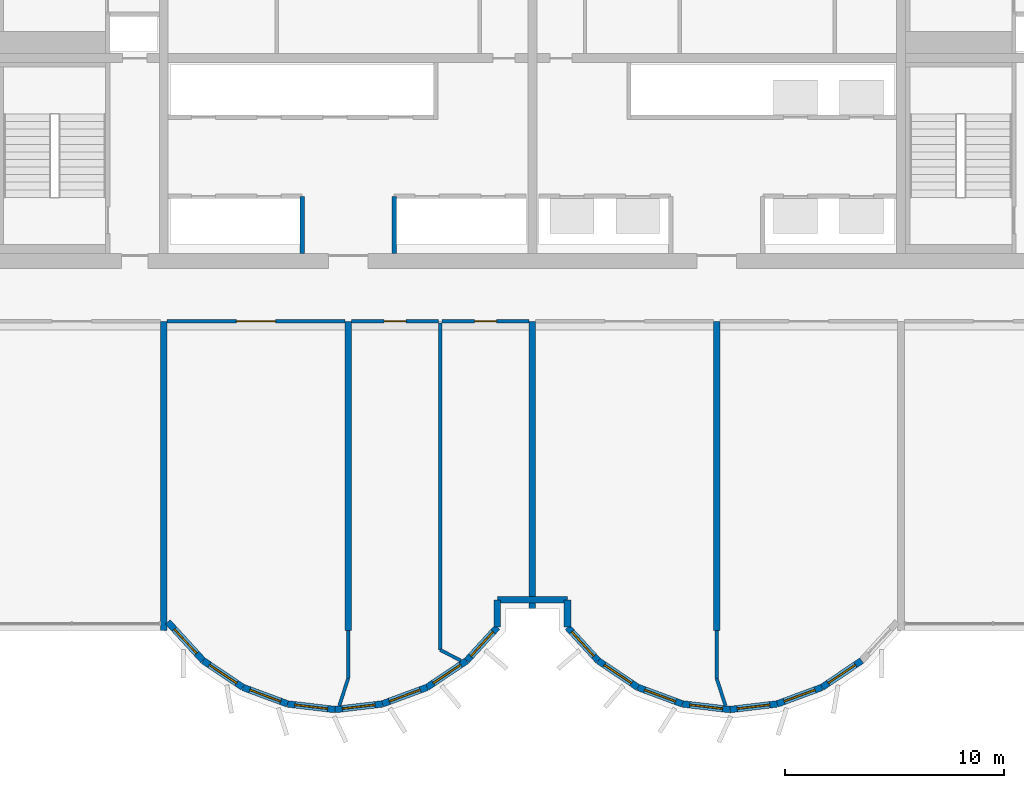
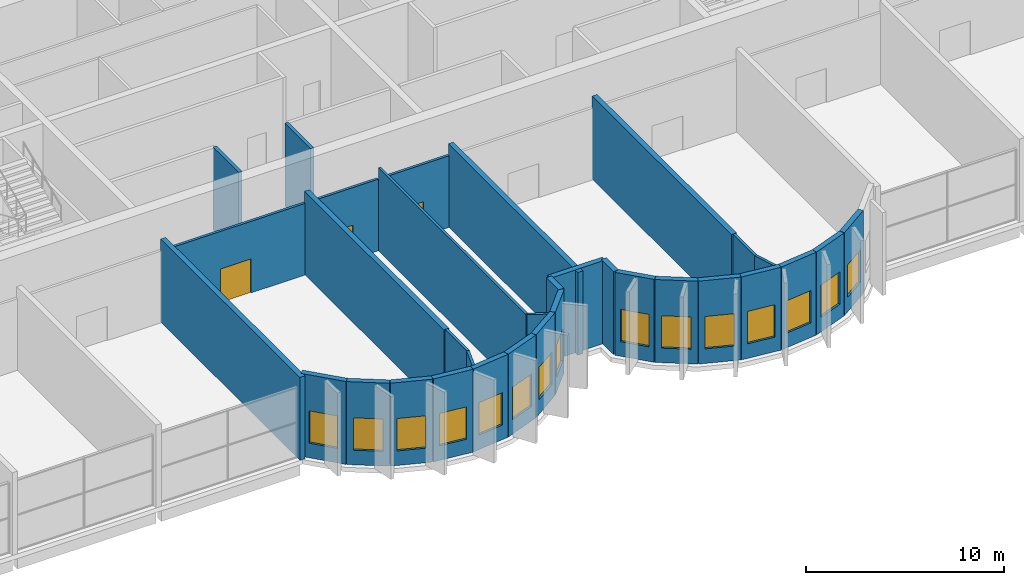
# One storey, part 11 of 19: 33 walls, 15 windows, 3 doors, 18 openings.
"""IFC4 building model written with IfcOpenShell, lengths in metres."""

from ifc_helpers import new_model, si_unit, direction, frame, frame_2d, origin, place, context, subcontext, project, spatial, rectangle, extrude, source, transform, mapped, material, layer, layer_set, type_object, element, fill, save


model = new_model("IFC4")

# Units and contexts
model_context = context("Model", 3, precision=1e-05, world=origin(), true_north=direction((0.0, 1.0)))
body_context = subcontext(model_context, "Body", "Model", "MODEL_VIEW")
ifc_project = project(units=[si_unit("LENGTHUNIT", "METRE"), si_unit("AREAUNIT", "SQUARE_METRE"), si_unit("VOLUMEUNIT", "CUBIC_METRE"), si_unit("PLANEANGLEUNIT", "RADIAN"), si_unit("MASSUNIT", "GRAM", prefix="KILO")], contexts=[model_context])

# Site, building, storey
site_placement = place(None, origin())
site = spatial("IfcSite", under=ifc_project, at=site_placement, CompositionType="ELEMENT")
building_placement = place(site_placement, origin())
building = spatial("IfcBuilding", under=site, at=building_placement, Name="Vanashikhar Sky Hotel", CompositionType="ELEMENT")
storey_placement = place(building_placement, frame((0.0, 0.0, 146.199951171875)))
storey = spatial("IfcBuildingStorey", under=building, at=storey_placement, Name="L35", CompositionType="ELEMENT", Elevation=146.199951171875)

# Walls
ifc_material_1 = material(Name="Concrete M60", Category="concrete")
ifc_layer_1 = layer(ifc_material_1, 0.300048828125)
ifc_layer_set_1 = layer_set([ifc_layer_1], Name="RC shear wall 300 Concrete M60")
wall_type_1 = type_object("IfcWallType", Name="RC shear wall 300 Concrete M60", PredefinedType="SHEAR", material=ifc_layer_set_1)
shared_shape_1 = source(origin(), body_context, "Body", "SweptSolid", [
    extrude(rectangle(XDim=14.10009765625, YDim=0.300048828125, at=frame_2d((7.050048828125, 0.0))), origin(), (0.0, 0.0, 1.0), 5.1201171875),
])
for number, where, z_axis, x_axis, name in (
    (1, (33.60009765625, 5.5, 0.0), (0.0, 0.0, 1.0), (0.0, 1.0, 0.0), "CW-L35-XW05-1"),
    (2, (42.0, 5.5, 0.0), (0.0, 0.0, 1.0), (0.0, 1.0, 0.0), "CW-L35-XW06-1"),
    (3, (58.800048828125, 5.5, 0.0), (0.0, 0.0, 1.0), (0.0, 1.0, 0.0), "CW-L35-XW08-1"),
):
    element("IfcWall", number, at=place(storey_placement, frame(where, z_axis=z_axis, x_axis=x_axis)), inside=storey, type_object=wall_type_1, Name=name, PredefinedType="SHEAR", context=body_context, shape_type="MappedRepresentation", body=[
        mapped(shared_shape_1, transform((0.0, 0.0, 0.0), scale=1.0)),
    ])
shared_shape_2 = source(origin(), body_context, "Body", "SweptSolid", [
    extrude(rectangle(XDim=13.10009765625, YDim=0.300048828125, at=frame_2d((6.550048828125, 0.0))), origin(), (0.0, 0.0, 1.0), 5.1201171875),
])
wall_1_placement = place(storey_placement, frame((50.39990234375, 6.5, 0.0), z_axis=(0.0, 0.0, 1.0), x_axis=(0.0, 1.0, 0.0)))
element("IfcWall", 4, at=wall_1_placement, inside=storey, type_object=wall_type_1, Name="CW-L35-XW07-1", PredefinedType="SHEAR", context=body_context, shape_type="MappedRepresentation", body=[
    mapped(shared_shape_2, transform((0.0, 0.0, 0.0), scale=1.0)),
])
ifc_material_2 = material(Name="Concrete M50", Category="concrete")
ifc_layer_2 = layer(ifc_material_2, 0.300048828125)
ifc_layer_set_2 = layer_set([ifc_layer_2], Name="Lobe wall 300")
wall_type_2 = type_object("IfcWallType", Name="Lobe wall 300", PredefinedType="SOLIDWALL", material=ifc_layer_set_2)
shared_shape_3 = source(origin(), body_context, "Body", "SweptSolid", [
    extrude(rectangle(XDim=1.244384765625, YDim=0.300048828125, at=frame_2d((0.6220703125, 0.0))), origin(), (0.0, 0.0, 1.0), 5.1201171875),
])
for number, where, z_axis, x_axis, name in (
    (5, (48.800048828125, 5.655517578125, 0.0), (0.0, 0.0, 1.0), (0.0, 1.0, 0.0), "Groove wall"),
    (6, (52.0, 6.89990234375, 0.0), (0.0, 0.0, 1.0), (0.0, -1.0, 0.0), "Groove wall"),
):
    element("IfcWall", number, at=place(storey_placement, frame(where, z_axis=z_axis, x_axis=x_axis)), inside=storey, type_object=wall_type_2, Name=name, PredefinedType="SOLIDWALL", context=body_context, shape_type="MappedRepresentation", body=[
        mapped(shared_shape_3, transform((0.0, 0.0, 0.0), scale=1.0)),
    ])

# Wall, opening, window
shared_shape_4 = source(origin(), body_context, "Body", "SweptSolid", [
    extrude(rectangle(XDim=2.066650390625, YDim=0.300048828125, at=frame_2d((1.033203125, 0.0))), origin(), (0.0, 0.0, 1.0), 5.1201171875),
])
wall_2_placement = place(storey_placement, frame((47.404296875, 4.13134765625, 0.0), z_axis=(0.0, 0.0, 1.0), x_axis=(0.675355439877, 0.737492393065, 0.0)))
wall_2 = element("IfcWall", 7, at=wall_2_placement, inside=storey, type_object=wall_type_2, Name="Lobe wall", PredefinedType="SOLIDWALL", context=body_context, shape_type="MappedRepresentation", body=[
    mapped(shared_shape_4, transform((0.0, 0.0, 0.0), scale=1.0)),
])
shared_shape_5 = source(origin(), body_context, "Body", "SweptSolid", [
    extrude(rectangle(XDim=1.5, YDim=2.0, at=frame_2d((0.75, 1.0))), frame((0.0, 0.16015625, 0.0), z_axis=(0.0, -1.0, 0.0), x_axis=(1.0, 0.0, 0.0)), (0.0, 0.0, 1.0), 0.320068359375),
])
opening_1_placement = place(wall_2_placement, frame((0.283447265625, 0.0, 0.89990234375)))
opening_1 = element("IfcOpeningElement", 8, at=opening_1_placement, cuts=wall_2, Name="Opening WN-2", PredefinedType="OPENING", context=body_context, shape_type="MappedRepresentation", body=[
    mapped(shared_shape_5, transform((0.0, 0.0, 0.0), scale=1.0)),
])
ifc_material_3 = material(Name="Glass", Category="glass")
window_type = type_object("IfcWindowType", Name="Lobe window 1500 x 2000", PartitioningType="SINGLE_PANEL", PredefinedType="WINDOW", material=ifc_material_3)
shared_shape_6 = source(origin(), body_context, "Body", "SweptSolid", [
    extrude(rectangle(XDim=1.5, YDim=2.0, at=frame_2d((0.75, 1.0))), frame((0.0, 0.030029296875, 0.0), z_axis=(0.0, -1.0, 0.0), x_axis=(1.0, 0.0, 0.0)), (0.0, 0.0, 1.0), 0.06005859375),
])
window_1_placement = place(opening_1_placement, origin())
window_1 = element("IfcWindow", 9, at=window_1_placement, inside=storey, type_object=window_type, Name="Window WN-2", OverallHeight=2.0, OverallWidth=1.5, PartitioningType="SINGLE_PANEL", PredefinedType="WINDOW", context=body_context, shape_type="MappedRepresentation", body=[
    mapped(shared_shape_6, transform((0.0, 0.0, 0.0), scale=1.0)),
])
fill(opening_1, window_1)

wall_3_placement = place(storey_placement, frame((52.0, 5.655517578125, 0.0), z_axis=(0.0, 0.0, 1.0), x_axis=(0.675355439877, -0.737492393065, 0.0)))
wall_3 = element("IfcWall", 10, at=wall_3_placement, inside=storey, type_object=wall_type_2, Name="Lobe wall", PredefinedType="SOLIDWALL", context=body_context, shape_type="MappedRepresentation", body=[
    mapped(shared_shape_4, transform((0.0, 0.0, 0.0), scale=1.0)),
])
opening_2_placement = place(wall_3_placement, frame((0.283447265625, 0.0, 0.89990234375)))
opening_2 = element("IfcOpeningElement", 11, at=opening_2_placement, cuts=wall_3, Name="Opening WN-2", PredefinedType="OPENING", context=body_context, shape_type="MappedRepresentation", body=[
    mapped(shared_shape_5, transform((0.0, 0.0, 0.0), scale=1.0)),
])
window_2_placement = place(opening_2_placement, origin())
window_2 = element("IfcWindow", 12, at=window_2_placement, inside=storey, type_object=window_type, Name="Window WN-2", OverallHeight=2.0, OverallWidth=1.5, PartitioningType="SINGLE_PANEL", PredefinedType="WINDOW", context=body_context, shape_type="MappedRepresentation", body=[
    mapped(shared_shape_6, transform((0.0, 0.0, 0.0), scale=1.0)),
])
fill(opening_2, window_2)

shared_shape_7 = source(origin(), body_context, "Body", "SweptSolid", [
    extrude(rectangle(XDim=2.17578125, YDim=0.300048828125, at=frame_2d((1.087890625, 0.0))), origin(), (0.0, 0.0, 1.0), 5.1201171875),
])
wall_4_placement = place(storey_placement, frame((35.395751953125, 4.13134765625, 0.0), z_axis=(0.0, 0.0, 1.0), x_axis=(0.829590746428, -0.558371913192, 0.0)))
wall_4 = element("IfcWall", 13, at=wall_4_placement, inside=storey, type_object=wall_type_2, Name="Lobe wall", PredefinedType="SOLIDWALL", context=body_context, shape_type="MappedRepresentation", body=[
    mapped(shared_shape_7, transform((0.0, 0.0, 0.0), scale=1.0)),
])
opening_3_placement = place(wall_4_placement, frame((0.337890625, 0.0, 0.89990234375)))
opening_3 = element("IfcOpeningElement", 14, at=opening_3_placement, cuts=wall_4, Name="Opening WN-2", PredefinedType="OPENING", context=body_context, shape_type="MappedRepresentation", body=[
    mapped(shared_shape_5, transform((0.0, 0.0, 0.0), scale=1.0)),
])
window_3_placement = place(opening_3_placement, origin())
window_3 = element("IfcWindow", 15, at=window_3_placement, inside=storey, type_object=window_type, Name="Window WN-2", OverallHeight=2.0, OverallWidth=1.5, PartitioningType="SINGLE_PANEL", PredefinedType="WINDOW", context=body_context, shape_type="MappedRepresentation", body=[
    mapped(shared_shape_6, transform((0.0, 0.0, 0.0), scale=1.0)),
])
fill(opening_3, window_3)

wall_5_placement = place(storey_placement, frame((37.20068359375, 2.91650390625, 0.0), z_axis=(0.0, 0.0, 1.0), x_axis=(0.93754555999, -0.347862505801, 0.0)))
wall_5 = element("IfcWall", 16, at=wall_5_placement, inside=storey, type_object=wall_type_2, Name="Lobe wall", PredefinedType="SOLIDWALL", context=body_context, shape_type="MappedRepresentation", body=[
    mapped(shared_shape_7, transform((0.0, 0.0, 0.0), scale=1.0)),
])
opening_4_placement = place(wall_5_placement, frame((0.337890625, 0.0, 0.89990234375)))
opening_4 = element("IfcOpeningElement", 17, at=opening_4_placement, cuts=wall_5, Name="Opening WN-2", PredefinedType="OPENING", context=body_context, shape_type="MappedRepresentation", body=[
    mapped(shared_shape_5, transform((0.0, 0.0, 0.0), scale=1.0)),
])
window_4_placement = place(opening_4_placement, origin())
window_4 = element("IfcWindow", 18, at=window_4_placement, inside=storey, type_object=window_type, Name="Window WN-2", OverallHeight=2.0, OverallWidth=1.5, PartitioningType="SINGLE_PANEL", PredefinedType="WINDOW", context=body_context, shape_type="MappedRepresentation", body=[
    mapped(shared_shape_6, transform((0.0, 0.0, 0.0), scale=1.0)),
])
fill(opening_4, window_4)

wall_6_placement = place(storey_placement, frame((45.59912109375, 2.91650390625, 0.0), z_axis=(0.0, 0.0, 1.0), x_axis=(0.829625727223, 0.558319937607, 0.0)))
wall_6 = element("IfcWall", 19, at=wall_6_placement, inside=storey, type_object=wall_type_2, Name="Lobe wall", PredefinedType="SOLIDWALL", context=body_context, shape_type="MappedRepresentation", body=[
    mapped(shared_shape_7, transform((0.0, 0.0, 0.0), scale=1.0)),
])
opening_5_placement = place(wall_6_placement, frame((0.337890625, 0.0, 0.89990234375)))
opening_5 = element("IfcOpeningElement", 20, at=opening_5_placement, cuts=wall_6, Name="Opening WN-2", PredefinedType="OPENING", context=body_context, shape_type="MappedRepresentation", body=[
    mapped(shared_shape_5, transform((0.0, 0.0, 0.0), scale=1.0)),
])
window_5_placement = place(opening_5_placement, origin())
window_5 = element("IfcWindow", 21, at=window_5_placement, inside=storey, type_object=window_type, Name="Window WN-2", OverallHeight=2.0, OverallWidth=1.5, PartitioningType="SINGLE_PANEL", PredefinedType="WINDOW", context=body_context, shape_type="MappedRepresentation", body=[
    mapped(shared_shape_6, transform((0.0, 0.0, 0.0), scale=1.0)),
])
fill(opening_5, window_5)

wall_7_placement = place(storey_placement, frame((53.395751953125, 4.13134765625, 0.0), z_axis=(0.0, 0.0, 1.0), x_axis=(0.829590746428, -0.558371913192, 0.0)))
wall_7 = element("IfcWall", 22, at=wall_7_placement, inside=storey, type_object=wall_type_2, Name="Lobe wall", PredefinedType="SOLIDWALL", context=body_context, shape_type="MappedRepresentation", body=[
    mapped(shared_shape_7, transform((0.0, 0.0, 0.0), scale=1.0)),
])
opening_6_placement = place(wall_7_placement, frame((0.337890625, 0.0, 0.89990234375)))
opening_6 = element("IfcOpeningElement", 23, at=opening_6_placement, cuts=wall_7, Name="Opening WN-2", PredefinedType="OPENING", context=body_context, shape_type="MappedRepresentation", body=[
    mapped(shared_shape_5, transform((0.0, 0.0, 0.0), scale=1.0)),
])
window_6_placement = place(opening_6_placement, origin())
window_6 = element("IfcWindow", 24, at=window_6_placement, inside=storey, type_object=window_type, Name="Window WN-2", OverallHeight=2.0, OverallWidth=1.5, PartitioningType="SINGLE_PANEL", PredefinedType="WINDOW", context=body_context, shape_type="MappedRepresentation", body=[
    mapped(shared_shape_6, transform((0.0, 0.0, 0.0), scale=1.0)),
])
fill(opening_6, window_6)

wall_8_placement = place(storey_placement, frame((55.20068359375, 2.91650390625, 0.0), z_axis=(0.0, 0.0, 1.0), x_axis=(0.93754555999, -0.347862505801, 0.0)))
wall_8 = element("IfcWall", 25, at=wall_8_placement, inside=storey, type_object=wall_type_2, Name="Lobe wall", PredefinedType="SOLIDWALL", context=body_context, shape_type="MappedRepresentation", body=[
    mapped(shared_shape_7, transform((0.0, 0.0, 0.0), scale=1.0)),
])
opening_7_placement = place(wall_8_placement, frame((0.337890625, 0.0, 0.89990234375)))
opening_7 = element("IfcOpeningElement", 26, at=opening_7_placement, cuts=wall_8, Name="Opening WN-2", PredefinedType="OPENING", context=body_context, shape_type="MappedRepresentation", body=[
    mapped(shared_shape_5, transform((0.0, 0.0, 0.0), scale=1.0)),
])
window_7_placement = place(opening_7_placement, origin())
window_7 = element("IfcWindow", 27, at=window_7_placement, inside=storey, type_object=window_type, Name="Window WN-2", OverallHeight=2.0, OverallWidth=1.5, PartitioningType="SINGLE_PANEL", PredefinedType="WINDOW", context=body_context, shape_type="MappedRepresentation", body=[
    mapped(shared_shape_6, transform((0.0, 0.0, 0.0), scale=1.0)),
])
fill(opening_7, window_7)

wall_9_placement = place(storey_placement, frame((63.59912109375, 2.91650390625, 0.0), z_axis=(0.0, 0.0, 1.0), x_axis=(0.829625727223, 0.558319937607, 0.0)))
wall_9 = element("IfcWall", 28, at=wall_9_placement, inside=storey, type_object=wall_type_2, Name="Lobe wall", PredefinedType="SOLIDWALL", context=body_context, shape_type="MappedRepresentation", body=[
    mapped(shared_shape_7, transform((0.0, 0.0, 0.0), scale=1.0)),
])
opening_8_placement = place(wall_9_placement, frame((0.337890625, 0.0, 0.89990234375)))
opening_8 = element("IfcOpeningElement", 29, at=opening_8_placement, cuts=wall_9, Name="Opening WN-2", PredefinedType="OPENING", context=body_context, shape_type="MappedRepresentation", body=[
    mapped(shared_shape_5, transform((0.0, 0.0, 0.0), scale=1.0)),
])
window_8_placement = place(opening_8_placement, origin())
window_8 = element("IfcWindow", 30, at=window_8_placement, inside=storey, type_object=window_type, Name="Window WN-2", OverallHeight=2.0, OverallWidth=1.5, PartitioningType="SINGLE_PANEL", PredefinedType="WINDOW", context=body_context, shape_type="MappedRepresentation", body=[
    mapped(shared_shape_6, transform((0.0, 0.0, 0.0), scale=1.0)),
])
fill(opening_8, window_8)

shared_shape_8 = source(origin(), body_context, "Body", "SweptSolid", [
    extrude(rectangle(XDim=2.174560546875, YDim=0.300048828125, at=frame_2d((1.08740234375, 0.0))), origin(), (0.0, 0.0, 1.0), 5.1201171875),
])
wall_10_placement = place(storey_placement, frame((39.240478515625, 2.15966796875, 0.0), z_axis=(0.0, 0.0, 1.0), x_axis=(0.993001132889, -0.118104826659, 0.0)))
wall_10 = element("IfcWall", 31, at=wall_10_placement, inside=storey, type_object=wall_type_2, Name="Lobe wall", PredefinedType="SOLIDWALL", context=body_context, shape_type="MappedRepresentation", body=[
    mapped(shared_shape_8, transform((0.0, 0.0, 0.0), scale=1.0)),
])
opening_9_placement = place(wall_10_placement, frame((0.33740234375, 0.0, 0.89990234375)))
opening_9 = element("IfcOpeningElement", 32, at=opening_9_placement, cuts=wall_10, Name="Opening WN-2", PredefinedType="OPENING", context=body_context, shape_type="MappedRepresentation", body=[
    mapped(shared_shape_5, transform((0.0, 0.0, 0.0), scale=1.0)),
])
window_9_placement = place(opening_9_placement, origin())
window_9 = element("IfcWindow", 33, at=window_9_placement, inside=storey, type_object=window_type, Name="Window WN-2", OverallHeight=2.0, OverallWidth=1.5, PartitioningType="SINGLE_PANEL", PredefinedType="WINDOW", context=body_context, shape_type="MappedRepresentation", body=[
    mapped(shared_shape_6, transform((0.0, 0.0, 0.0), scale=1.0)),
])
fill(opening_9, window_9)

wall_11_placement = place(storey_placement, frame((57.240478515625, 2.15966796875, 0.0), z_axis=(0.0, 0.0, 1.0), x_axis=(0.993001132889, -0.118104826659, 0.0)))
wall_11 = element("IfcWall", 34, at=wall_11_placement, inside=storey, type_object=wall_type_2, Name="Lobe wall", PredefinedType="SOLIDWALL", context=body_context, shape_type="MappedRepresentation", body=[
    mapped(shared_shape_8, transform((0.0, 0.0, 0.0), scale=1.0)),
])
opening_10_placement = place(wall_11_placement, frame((0.33740234375, 0.0, 0.89990234375)))
opening_10 = element("IfcOpeningElement", 35, at=opening_10_placement, cuts=wall_11, Name="Opening WN-2", PredefinedType="OPENING", context=body_context, shape_type="MappedRepresentation", body=[
    mapped(shared_shape_5, transform((0.0, 0.0, 0.0), scale=1.0)),
])
window_10_placement = place(opening_10_placement, origin())
window_10 = element("IfcWindow", 36, at=window_10_placement, inside=storey, type_object=window_type, Name="Window WN-2", OverallHeight=2.0, OverallWidth=1.5, PartitioningType="SINGLE_PANEL", PredefinedType="WINDOW", context=body_context, shape_type="MappedRepresentation", body=[
    mapped(shared_shape_6, transform((0.0, 0.0, 0.0), scale=1.0)),
])
fill(opening_10, window_10)

shared_shape_9 = source(origin(), body_context, "Body", "SweptSolid", [
    extrude(rectangle(XDim=2.1748046875, YDim=0.300048828125, at=frame_2d((1.08740234375, 0.0))), origin(), (0.0, 0.0, 1.0), 5.1201171875),
])
wall_12_placement = place(storey_placement, frame((41.39990234375, 1.90283203125, 0.0), z_axis=(0.0, 0.0, 1.0), x_axis=(0.993002698611, 0.118091661648, 0.0)))
wall_12 = element("IfcWall", 37, at=wall_12_placement, inside=storey, type_object=wall_type_2, Name="Lobe wall", PredefinedType="SOLIDWALL", context=body_context, shape_type="MappedRepresentation", body=[
    mapped(shared_shape_9, transform((0.0, 0.0, 0.0), scale=1.0)),
])
opening_11_placement = place(wall_12_placement, frame((0.33740234375, 0.0, 0.89990234375)))
opening_11 = element("IfcOpeningElement", 38, at=opening_11_placement, cuts=wall_12, Name="Opening WN-2", PredefinedType="OPENING", context=body_context, shape_type="MappedRepresentation", body=[
    mapped(shared_shape_5, transform((0.0, 0.0, 0.0), scale=1.0)),
])
window_11_placement = place(opening_11_placement, origin())
window_11 = element("IfcWindow", 39, at=window_11_placement, inside=storey, type_object=window_type, Name="Window WN-2", OverallHeight=2.0, OverallWidth=1.5, PartitioningType="SINGLE_PANEL", PredefinedType="WINDOW", context=body_context, shape_type="MappedRepresentation", body=[
    mapped(shared_shape_6, transform((0.0, 0.0, 0.0), scale=1.0)),
])
fill(opening_11, window_11)

wall_13_placement = place(storey_placement, frame((59.39990234375, 1.90283203125, 0.0), z_axis=(0.0, 0.0, 1.0), x_axis=(0.993002698611, 0.118091661648, 0.0)))
wall_13 = element("IfcWall", 40, at=wall_13_placement, inside=storey, type_object=wall_type_2, Name="Lobe wall", PredefinedType="SOLIDWALL", context=body_context, shape_type="MappedRepresentation", body=[
    mapped(shared_shape_9, transform((0.0, 0.0, 0.0), scale=1.0)),
])
opening_12_placement = place(wall_13_placement, frame((0.33740234375, 0.0, 0.89990234375)))
opening_12 = element("IfcOpeningElement", 41, at=opening_12_placement, cuts=wall_13, Name="Opening WN-2", PredefinedType="OPENING", context=body_context, shape_type="MappedRepresentation", body=[
    mapped(shared_shape_5, transform((0.0, 0.0, 0.0), scale=1.0)),
])
window_12_placement = place(opening_12_placement, origin())
window_12 = element("IfcWindow", 42, at=window_12_placement, inside=storey, type_object=window_type, Name="Window WN-2", OverallHeight=2.0, OverallWidth=1.5, PartitioningType="SINGLE_PANEL", PredefinedType="WINDOW", context=body_context, shape_type="MappedRepresentation", body=[
    mapped(shared_shape_6, transform((0.0, 0.0, 0.0), scale=1.0)),
])
fill(opening_12, window_12)

shared_shape_10 = source(origin(), body_context, "Body", "SweptSolid", [
    extrude(rectangle(XDim=2.175537109375, YDim=0.300048828125, at=frame_2d((1.087890625, 0.0))), origin(), (0.0, 0.0, 1.0), 5.1201171875),
])
wall_14_placement = place(storey_placement, frame((43.5595703125, 2.15966796875, 0.0), z_axis=(0.0, 0.0, 1.0), x_axis=(0.937531979054, 0.347899106424, 0.0)))
wall_14 = element("IfcWall", 43, at=wall_14_placement, inside=storey, type_object=wall_type_2, Name="Lobe wall", PredefinedType="SOLIDWALL", context=body_context, shape_type="MappedRepresentation", body=[
    mapped(shared_shape_10, transform((0.0, 0.0, 0.0), scale=1.0)),
])
opening_13_placement = place(wall_14_placement, frame((0.337890625, 0.0, 0.89990234375)))
opening_13 = element("IfcOpeningElement", 44, at=opening_13_placement, cuts=wall_14, Name="Opening WN-2", PredefinedType="OPENING", context=body_context, shape_type="MappedRepresentation", body=[
    mapped(shared_shape_5, transform((0.0, 0.0, 0.0), scale=1.0)),
])
window_13_placement = place(opening_13_placement, origin())
window_13 = element("IfcWindow", 45, at=window_13_placement, inside=storey, type_object=window_type, Name="Window WN-2", OverallHeight=2.0, OverallWidth=1.5, PartitioningType="SINGLE_PANEL", PredefinedType="WINDOW", context=body_context, shape_type="MappedRepresentation", body=[
    mapped(shared_shape_6, transform((0.0, 0.0, 0.0), scale=1.0)),
])
fill(opening_13, window_13)

wall_15_placement = place(storey_placement, frame((61.5595703125, 2.15966796875, 0.0), z_axis=(0.0, 0.0, 1.0), x_axis=(0.937531979054, 0.347899106424, 0.0)))
wall_15 = element("IfcWall", 46, at=wall_15_placement, inside=storey, type_object=wall_type_2, Name="Lobe wall", PredefinedType="SOLIDWALL", context=body_context, shape_type="MappedRepresentation", body=[
    mapped(shared_shape_10, transform((0.0, 0.0, 0.0), scale=1.0)),
])
opening_14_placement = place(wall_15_placement, frame((0.337890625, 0.0, 0.89990234375)))
opening_14 = element("IfcOpeningElement", 47, at=opening_14_placement, cuts=wall_15, Name="Opening WN-2", PredefinedType="OPENING", context=body_context, shape_type="MappedRepresentation", body=[
    mapped(shared_shape_5, transform((0.0, 0.0, 0.0), scale=1.0)),
])
window_14_placement = place(opening_14_placement, origin())
window_14 = element("IfcWindow", 48, at=window_14_placement, inside=storey, type_object=window_type, Name="Window WN-2", OverallHeight=2.0, OverallWidth=1.5, PartitioningType="SINGLE_PANEL", PredefinedType="WINDOW", context=body_context, shape_type="MappedRepresentation", body=[
    mapped(shared_shape_6, transform((0.0, 0.0, 0.0), scale=1.0)),
])
fill(opening_14, window_14)

shared_shape_11 = source(origin(), body_context, "Body", "SweptSolid", [
    extrude(rectangle(XDim=2.398193359375, YDim=0.300048828125, at=frame_2d((1.19921875, 0.0))), origin(), (0.0, 0.0, 1.0), 5.1201171875),
])
wall_16_placement = place(storey_placement, frame((33.776123046875, 5.89990234375, 0.0), z_axis=(0.0, 0.0, 1.0), x_axis=(0.675374189419, -0.737475222815, 0.0)))
wall_16 = element("IfcWall", 49, at=wall_16_placement, inside=storey, type_object=wall_type_2, Name="Lobe wall", PredefinedType="SOLIDWALL", context=body_context, shape_type="MappedRepresentation", body=[
    mapped(shared_shape_11, transform((0.0, 0.0, 0.0), scale=1.0)),
])
opening_15_placement = place(wall_16_placement, frame((0.44921875, 0.0, 0.89990234375)))
opening_15 = element("IfcOpeningElement", 50, at=opening_15_placement, cuts=wall_16, Name="Opening WN-2", PredefinedType="OPENING", context=body_context, shape_type="MappedRepresentation", body=[
    mapped(shared_shape_5, transform((0.0, 0.0, 0.0), scale=1.0)),
])
window_15_placement = place(opening_15_placement, origin())
window_15 = element("IfcWindow", 51, at=window_15_placement, inside=storey, type_object=window_type, Name="Window WN-2", OverallHeight=2.0, OverallWidth=1.5, PartitioningType="SINGLE_PANEL", PredefinedType="WINDOW", context=body_context, shape_type="MappedRepresentation", body=[
    mapped(shared_shape_6, transform((0.0, 0.0, 0.0), scale=1.0)),
])
fill(opening_15, window_15)

# Walls
shared_shape_12 = source(origin(), body_context, "Body", "SweptSolid", [
    extrude(rectangle(XDim=3.199951171875, YDim=0.300048828125, at=frame_2d((1.60009765625, 0.0))), origin(), (0.0, 0.0, 1.0), 5.1201171875),
])
wall_17_placement = place(storey_placement, frame((48.800048828125, 6.89990234375, 0.0), z_axis=(0.0, 0.0, 1.0), x_axis=(1.0, 0.0, 0.0)))
element("IfcWall", 52, at=wall_17_placement, inside=storey, type_object=wall_type_2, Name="Groove wall", PredefinedType="SOLIDWALL", context=body_context, shape_type="MappedRepresentation", body=[
    mapped(shared_shape_12, transform((0.0, 0.0, 0.0), scale=1.0)),
])
ifc_material_4 = material(Name="Concrete M40", Category="concrete")
ifc_layer_3 = layer(ifc_material_4, 0.199951171875)
ifc_layer_set_3 = layer_set([ifc_layer_3], Name="Shaft wall 200")
wall_type_3 = type_object("IfcWallType", Name="Shaft wall 200", PredefinedType="SOLIDWALL", material=ifc_layer_set_3)
shared_shape_13 = source(origin(), body_context, "Body", "SweptSolid", [
    extrude(rectangle(XDim=2.60009765625, YDim=0.199951171875, at=frame_2d((1.300048828125, 0.0))), origin(), (0.0, 0.0, 1.0), 5.1201171875),
])
for number, where, z_axis, x_axis, name in (
    (53, (39.89990234375, 22.699951171875, 0.0), (0.0, 0.0, 1.0), (0.0, 1.0, 0.0), "Shaft wall 200"),
    (54, (44.10009765625, 22.699951171875, 0.0), (0.0, 0.0, 1.0), (0.0, 1.0, 0.0), "Shaft wall 200"),
):
    element("IfcWall", number, at=place(storey_placement, frame(where, z_axis=z_axis, x_axis=x_axis)), inside=storey, type_object=wall_type_3, Name=name, PredefinedType="SOLIDWALL", context=body_context, shape_type="MappedRepresentation", body=[
        mapped(shared_shape_13, transform((0.0, 0.0, 0.0), scale=1.0)),
    ])
ifc_material_5 = material(Name="Gypsum plasterboard partition")
ifc_layer_4 = layer(ifc_material_5, 0.14990234375)
ifc_layer_set_4 = layer_set([ifc_layer_4], Name="Corridor and demising partition 150")
wall_type_4 = type_object("IfcWallType", Name="Corridor and demising partition 150", PredefinedType="PARTITIONING", material=ifc_layer_set_4)
shared_shape_14 = source(origin(), body_context, "Body", "SweptSolid", [
    extrude(rectangle(XDim=2.177978515625, YDim=0.14990234375, at=frame_2d((1.0888671875, 0.0))), origin(), (0.0, 0.0, 1.0), 5.1201171875),
])
for number, where, z_axis, x_axis, name in (
    (55, (42.0, 3.322021484375, 0.0), (0.0, 0.0, 1.0), (0.0, 1.0, 0.0), "W-L35-PW013"),
    (56, (58.800048828125, 3.322021484375, 0.0), (0.0, 0.0, 1.0), (0.0, 1.0, 0.0), "W-L35-PW014"),
):
    element("IfcWall", number, at=place(storey_placement, frame(where, z_axis=z_axis, x_axis=x_axis)), inside=storey, type_object=wall_type_4, Name=name, PredefinedType="PARTITIONING", context=body_context, shape_type="MappedRepresentation", body=[
        mapped(shared_shape_14, transform((0.0, 0.0, 0.0), scale=1.0)),
    ])
shared_shape_15 = source(origin(), body_context, "Body", "SweptSolid", [
    extrude(rectangle(XDim=1.0576171875, YDim=0.14990234375, at=frame_2d((0.52880859375, 0.0))), origin(), (0.0, 0.0, 1.0), 5.1201171875),
])
wall_18_placement = place(storey_placement, frame((47.139892578125, 4.134033203125, 0.0), z_axis=(0.0, 0.0, 1.0), x_axis=(-0.888723819054, 0.458442988218, 0.0)))
element("IfcWall", 57, at=wall_18_placement, inside=storey, type_object=wall_type_4, Name="W-L35-PW007B0", PredefinedType="PARTITIONING", context=body_context, shape_type="MappedRepresentation", body=[
    mapped(shared_shape_15, transform((0.0, 0.0, 0.0), scale=1.0)),
])
shared_shape_16 = source(origin(), body_context, "Body", "SweptSolid", [
    extrude(rectangle(XDim=1.308349609375, YDim=0.14990234375, at=frame_2d((0.654296875, 0.0))), origin(), (0.0, 0.0, 1.0), 5.1201171875),
])
for number, where, z_axis, x_axis, name in (
    (58, (41.597900390625, 2.076904296875, 0.0), (0.0, 0.0, 1.0), (0.307313512187, 0.951608325535, 0.0), "W-L35-PW013B0"),
    (59, (59.201904296875, 2.076904296875, 0.0), (0.0, 0.0, 1.0), (-0.307144529633, 0.951662880392, 0.0), "W-L35-PW014B0"),
):
    element("IfcWall", number, at=place(storey_placement, frame(where, z_axis=z_axis, x_axis=x_axis)), inside=storey, type_object=wall_type_4, Name=name, PredefinedType="PARTITIONING", context=body_context, shape_type="MappedRepresentation", body=[
        mapped(shared_shape_16, transform((0.0, 0.0, 0.0), scale=1.0)),
    ])

# Wall, opening, door
shared_shape_17 = source(origin(), body_context, "Body", "SweptSolid", [
    extrude(rectangle(XDim=8.10009765625, YDim=0.14990234375, at=frame_2d((4.050048828125, 0.0))), origin(), (0.0, 0.0, 1.0), 4.420166015625),
])
wall_19_placement = place(storey_placement, frame((33.75, 19.60009765625, 0.0), z_axis=(0.0, 0.0, 1.0), x_axis=(1.0, 0.0, 0.0)))
wall_19 = element("IfcWall", 60, at=wall_19_placement, inside=storey, type_object=wall_type_4, Name="W-L35-PW004", PredefinedType="PARTITIONING", context=body_context, shape_type="MappedRepresentation", body=[
    mapped(shared_shape_17, transform((0.0, 0.0, 0.0), scale=1.0)),
])
shared_shape_18 = source(origin(), body_context, "Body", "SweptSolid", [
    extrude(rectangle(XDim=1.800048828125, YDim=2.10009765625, at=frame_2d((0.89990234375, 1.050048828125))), frame((0.0, 0.0849609375, 0.0), z_axis=(0.0, -1.0, 0.0), x_axis=(1.0, 0.0, 0.0)), (0.0, 0.0, 1.0), 0.169921875),
])
opening_16_placement = place(wall_19_placement, frame((3.14990234375, 0.0, 0.0)))
opening_16 = element("IfcOpeningElement", 61, at=opening_16_placement, cuts=wall_19, Name="Opening D-03", PredefinedType="OPENING", context=body_context, shape_type="MappedRepresentation", body=[
    mapped(shared_shape_18, transform((0.0, 0.0, 0.0), scale=1.0)),
])
ifc_material_6 = material(Name="Timber fire door", Category="wood")
door_type_1 = type_object("IfcDoorType", Name="Double leaf door 1800 FD30S", OperationType="NOTDEFINED", PredefinedType="DOOR", material=ifc_material_6)
shared_shape_19 = source(origin(), body_context, "Body", "SweptSolid", [
    extrude(rectangle(XDim=1.800048828125, YDim=2.10009765625, at=frame_2d((0.89990234375, 1.050048828125))), frame((0.0, 0.02490234375, 0.0), z_axis=(0.0, -1.0, 0.0), x_axis=(1.0, 0.0, 0.0)), (0.0, 0.0, 1.0), 0.050048828125),
])
door_1_placement = place(opening_16_placement, origin())
door_1 = element("IfcDoor", 62, at=door_1_placement, inside=storey, type_object=door_type_1, Name="D-L35-004", OperationType="DOUBLE_DOOR_SINGLE_SWING", OverallHeight=2.10009765625, OverallWidth=1.800048828125, PredefinedType="DOOR", context=body_context, shape_type="MappedRepresentation", body=[
    mapped(shared_shape_19, transform((0.0, 0.0, 0.0), scale=1.0)),
])
fill(opening_16, door_1)

shared_shape_20 = source(origin(), body_context, "Body", "SweptSolid", [
    extrude(rectangle(XDim=3.97509765625, YDim=0.14990234375, at=frame_2d((1.987548828125, 0.0))), origin(), (0.0, 0.0, 1.0), 4.420166015625),
])
wall_20_placement = place(storey_placement, frame((42.14990234375, 19.60009765625, 0.0), z_axis=(0.0, 0.0, 1.0), x_axis=(1.0, 0.0, 0.0)))
wall_20 = element("IfcWall", 63, at=wall_20_placement, inside=storey, type_object=wall_type_4, Name="W-L35-PW005", PredefinedType="PARTITIONING", context=body_context, shape_type="MappedRepresentation", body=[
    mapped(shared_shape_20, transform((0.0, 0.0, 0.0), scale=1.0)),
])
shared_shape_21 = source(origin(), body_context, "Body", "SweptSolid", [
    extrude(rectangle(XDim=1.0, YDim=2.10009765625, at=frame_2d((0.5, 1.050048828125))), frame((0.0, 0.0849609375, 0.0), z_axis=(0.0, -1.0, 0.0), x_axis=(1.0, 0.0, 0.0)), (0.0, 0.0, 1.0), 0.169921875),
])
opening_17_placement = place(wall_20_placement, frame((1.488037109375, 0.0, 0.0)))
opening_17 = element("IfcOpeningElement", 64, at=opening_17_placement, cuts=wall_20, Name="Opening D-01", PredefinedType="OPENING", context=body_context, shape_type="MappedRepresentation", body=[
    mapped(shared_shape_21, transform((0.0, 0.0, 0.0), scale=1.0)),
])
door_type_2 = type_object("IfcDoorType", Name="Guest entry door 1000 FD30S", OperationType="NOTDEFINED", PredefinedType="DOOR", material=ifc_material_6)
shared_shape_22 = source(origin(), body_context, "Body", "SweptSolid", [
    extrude(rectangle(XDim=1.0, YDim=2.10009765625, at=frame_2d((0.5, 1.050048828125))), frame((0.0, 0.02490234375, 0.0), z_axis=(0.0, -1.0, 0.0), x_axis=(1.0, 0.0, 0.0)), (0.0, 0.0, 1.0), 0.050048828125),
])
door_2_placement = place(opening_17_placement, origin())
door_2 = element("IfcDoor", 65, at=door_2_placement, inside=storey, type_object=door_type_2, Name="D-L35-005", OperationType="SINGLE_SWING_LEFT", OverallHeight=2.10009765625, OverallWidth=1.0, PredefinedType="DOOR", context=body_context, shape_type="MappedRepresentation", body=[
    mapped(shared_shape_22, transform((0.0, 0.0, 0.0), scale=1.0)),
])
fill(opening_17, door_2)

wall_21_placement = place(storey_placement, frame((46.27490234375, 19.60009765625, 0.0), z_axis=(0.0, 0.0, 1.0), x_axis=(1.0, 0.0, 0.0)))
wall_21 = element("IfcWall", 66, at=wall_21_placement, inside=storey, type_object=wall_type_4, Name="W-L35-PW006", PredefinedType="PARTITIONING", context=body_context, shape_type="MappedRepresentation", body=[
    mapped(shared_shape_20, transform((0.0, 0.0, 0.0), scale=1.0)),
])
opening_18_placement = place(wall_21_placement, frame((1.488037109375, 0.0, 0.0)))
opening_18 = element("IfcOpeningElement", 67, at=opening_18_placement, cuts=wall_21, Name="Opening D-01", PredefinedType="OPENING", context=body_context, shape_type="MappedRepresentation", body=[
    mapped(shared_shape_21, transform((0.0, 0.0, 0.0), scale=1.0)),
])
door_3_placement = place(opening_18_placement, origin())
door_3 = element("IfcDoor", 68, at=door_3_placement, inside=storey, type_object=door_type_2, Name="D-L35-006", OperationType="SINGLE_SWING_RIGHT", OverallHeight=2.10009765625, OverallWidth=1.0, PredefinedType="DOOR", context=body_context, shape_type="MappedRepresentation", body=[
    mapped(shared_shape_22, transform((0.0, 0.0, 0.0), scale=1.0)),
])
fill(opening_18, door_3)

# Wall
shared_shape_23 = source(origin(), body_context, "Body", "SweptSolid", [
    extrude(rectangle(XDim=14.906005859375, YDim=0.14990234375, at=frame_2d((7.453125, 0.0))), origin(), (0.0, 0.0, 1.0), 5.1201171875),
])
wall_22_placement = place(storey_placement, frame((46.199951171875, 4.618896484375, 0.0), z_axis=(0.0, 0.0, 1.0), x_axis=(0.0, 1.0, 0.0)))
element("IfcWall", 69, at=wall_22_placement, inside=storey, type_object=wall_type_4, Name="W-L35-PW007", PredefinedType="PARTITIONING", context=body_context, shape_type="MappedRepresentation", body=[
    mapped(shared_shape_23, transform((0.0, 0.0, 0.0), scale=1.0)),
])

save(model, "model.ifc")
